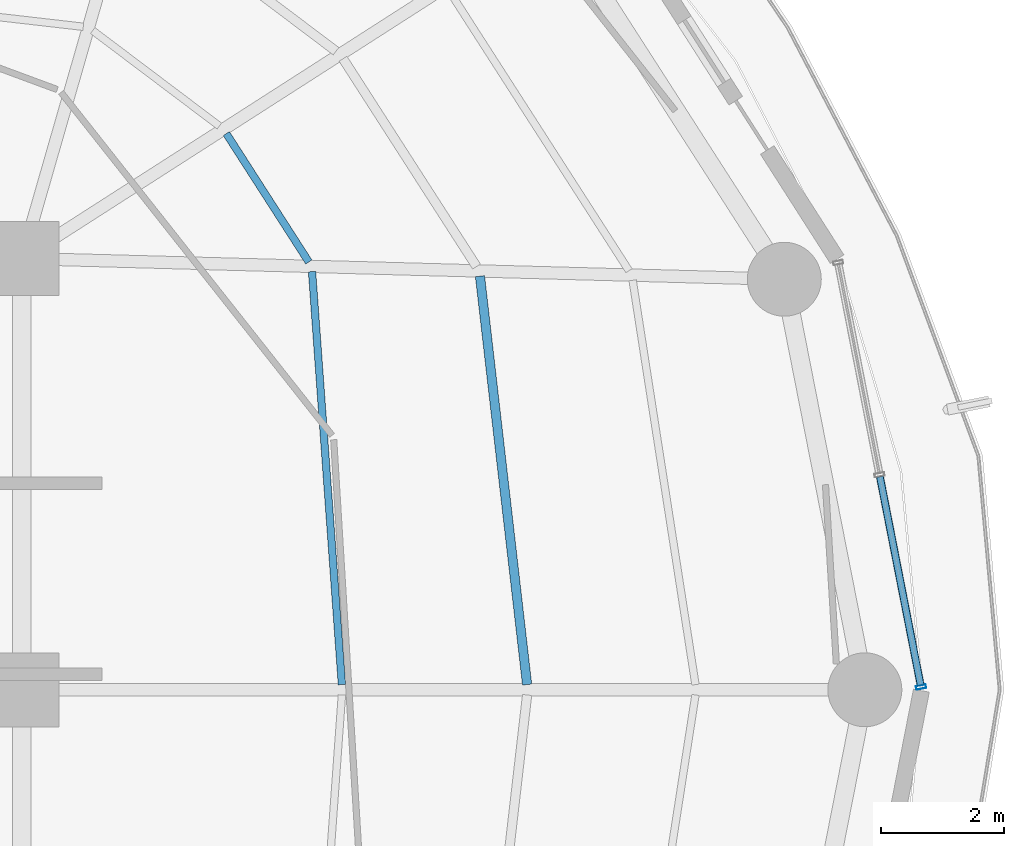
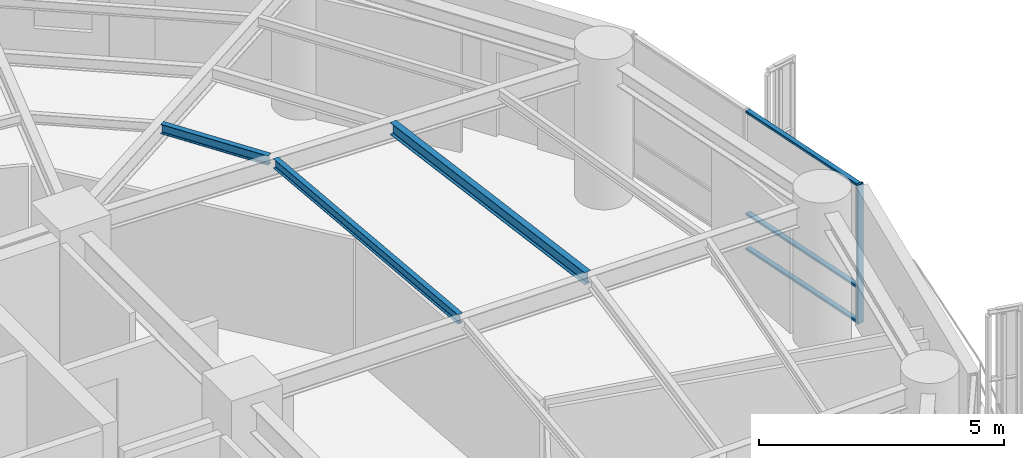
# One storey, part 13 of 27: 4 members, 3 beams, 1 element without a shape of its own.
"""IFC4 building model written with IfcOpenShell, lengths in metres."""

from ifc_helpers import new_model, si_unit, direction, frame, origin, origin_2d, place, context, subcontext, project, spatial, hollow_rectangle, i_section, extrude, material, layer, layer_set, material_profile, profile_set, type_object, element, aggregate, save


model = new_model("IFC4")

# Units and contexts
model_context = context("Model", 3, precision=1e-05, world=origin(), true_north=direction((0.0, 1.0)))
body_context = subcontext(model_context, "Body", "Model", "MODEL_VIEW")
ifc_project = project(units=[si_unit("LENGTHUNIT", "METRE"), si_unit("AREAUNIT", "SQUARE_METRE"), si_unit("VOLUMEUNIT", "CUBIC_METRE"), si_unit("PLANEANGLEUNIT", "RADIAN"), si_unit("MASSUNIT", "GRAM", prefix="KILO")], contexts=[model_context])

# Site, building, storey
site_placement = place(None, origin())
site = spatial("IfcSite", under=ifc_project, at=site_placement, CompositionType="ELEMENT")
building_placement = place(site_placement, origin())
building = spatial("IfcBuilding", under=site, at=building_placement, Name="Kelanora Arch Commons", CompositionType="ELEMENT")
storey_placement = place(building_placement, frame((0.0, 0.0, 146.85009765625)))
storey = spatial("IfcBuildingStorey", under=building, at=storey_placement, Name="L37", CompositionType="ELEMENT", Elevation=146.85009765625)

# Beams
ifc_material_1 = material(Name="Steel S355", Category="steel")
ifc_material_profile_1 = material_profile(ifc_material_1, i_section(OverallWidth=0.14990234375, OverallDepth=0.300048828125, WebThickness=0.007080078125, FlangeThickness=0.0107421875, FilletRadius=0.014892578125, at=origin_2d()), Name="IPE300")
ifc_profile_set_1 = profile_set([ifc_material_profile_1], Name="Steel S355")
beam_type_1 = type_object("IfcBeamType", Name="BM-JST-01", PredefinedType="JOIST", material=ifc_profile_set_1)
beam_1_placement = place(storey_placement, frame((90.1982421875, 58.08447265625, 3.33984375), z_axis=(-0.114667159005, 0.9934039675, 0.0), x_axis=(-0.9934039675, -0.114667159005, 0.0)))
element("IfcBeam", 1, at=beam_1_placement, inside=storey, type_object=beam_type_1, Name="Secondary Chord Joist BJB-00 L37", PredefinedType="JOIST", context=body_context, shape_type="SweptSolid", body=[
    extrude(i_section(OverallWidth=0.14990234375, OverallDepth=0.300048828125, WebThickness=0.007080078125, FlangeThickness=0.0107421875, FilletRadius=0.014892578125, at=origin_2d()), origin(), (0.0, 0.0, 1.0), 6.672607421875),
])
ifc_material_profile_2 = material_profile(ifc_material_1, i_section(OverallWidth=0.1201171875, OverallDepth=0.239990234375, WebThickness=0.006103515625, FlangeThickness=0.009765625, FilletRadius=0.014892578125, at=origin_2d()), Name="IPE240")
ifc_profile_set_2 = profile_set([ifc_material_profile_2], Name="Steel S355")
beam_type_2 = type_object("IfcBeamType", Name="BM-JST-02", PredefinedType="JOIST", material=ifc_profile_set_2)
beam_2_placement = place(storey_placement, frame((87.1923828125, 58.084716796875, 3.369873046875), z_axis=(-0.072117123738, 0.997396170267, 0.0), x_axis=(-0.997396170267, -0.072117123738, 0.0)))
element("IfcBeam", 2, at=beam_2_placement, inside=storey, type_object=beam_type_2, Name="Secondary Chord Joist BJA-00 L37", PredefinedType="JOIST", context=body_context, shape_type="SweptSolid", body=[
    extrude(i_section(OverallWidth=0.1201171875, OverallDepth=0.239990234375, WebThickness=0.006103515625, FlangeThickness=0.009765625, FilletRadius=0.014892578125, at=origin_2d()), origin(), (0.0, 0.0, 1.0), 6.719970703125),
])
beam_3_placement = place(storey_placement, frame((86.655517578125, 64.943359375, 3.369873046875), z_axis=(-0.540583174025, 0.841290575224, 0.0), x_axis=(-0.841290575224, -0.540583174025, 0.0)))
element("IfcBeam", 3, at=beam_3_placement, inside=storey, type_object=beam_type_2, Name="Secondary Chord Joist BJA-02 L37", PredefinedType="JOIST", context=body_context, shape_type="SweptSolid", body=[
    extrude(i_section(OverallWidth=0.1201171875, OverallDepth=0.239990234375, WebThickness=0.006103515625, FlangeThickness=0.009765625, FilletRadius=0.014892578125, at=origin_2d()), origin(), (0.0, 0.0, 1.0), 2.476318359375),
])

# Curtain wall, members
ifc_material_2 = material(Name="Terracotta ceramic-fritted low-E glass and aluminium", Category="masonry")
ifc_layer = layer(ifc_material_2, 0.175048828125)
ifc_layer_set = layer_set([ifc_layer], Name="Terracotta ceramic-fritted low-E glass and aluminium")
curtain_wall_type = type_object("IfcCurtainWallType", Name="CW-SYS-02", PredefinedType="NOTDEFINED", material=ifc_layer_set)
curtain_wall_placement = place(storey_placement, origin())
curtain_wall = element("IfcCurtainWall", 4, at=curtain_wall_placement, inside=storey, type_object=curtain_wall_type, Name="Unitised Curtain Wall L37-B00", PredefinedType="NOTDEFINED")
ifc_material_3 = material(Name="Powder-coated aluminium terracotta", Category="masonry")
ifc_material_profile_3 = material_profile(ifc_material_3, hollow_rectangle(XDim=0.159912109375, YDim=0.06005859375, WallThickness=0.0048828125, InnerFilletRadius=0.0048828125, OuterFilletRadius=0.010009765625, at=origin_2d()), Name="CWM160x60")
ifc_profile_set_3 = profile_set([ifc_material_profile_3], Name="Powder-coated aluminium terracotta")
member_type_1 = type_object("IfcMemberType", Name="CWM-STD", PredefinedType="MULLION", material=ifc_profile_set_3)
member_1_placement = place(storey_placement, frame((96.59130859375, 58.044189453125, 0.0), z_axis=(0.0, 0.0, 1.0), x_axis=(-0.981452557718, -0.191705182375, 0.0)))
member_1 = element("IfcMember", 5, at=member_1_placement, type_object=member_type_1, Name="CW-02 mullion 1", PredefinedType="MULLION", context=body_context, shape_type="SweptSolid", body=[
    extrude(hollow_rectangle(XDim=0.159912109375, YDim=0.06005859375, WallThickness=0.0048828125, InnerFilletRadius=0.0048828125, OuterFilletRadius=0.010009765625, at=origin_2d()), origin(), (0.0, 0.0, 1.0), 3.474853515625),
])
ifc_material_profile_4 = material_profile(ifc_material_3, hollow_rectangle(XDim=0.1201171875, YDim=0.06005859375, WallThickness=0.0048828125, InnerFilletRadius=0.0048828125, OuterFilletRadius=0.010009765625, at=origin_2d()), Name="CWT120x60")
ifc_profile_set_4 = profile_set([ifc_material_profile_4], Name="Powder-coated aluminium terracotta")
member_type_2 = type_object("IfcMemberType", Name="CWT-STD", PredefinedType="USERDEFINED", material=ifc_profile_set_4)
member_2_placement = place(storey_placement, frame((96.585693359375, 58.073486328125, 0.02978515625), z_axis=(-0.191718206447, 0.981450013662, 0.0), x_axis=(-0.981450013662, -0.191718206447, 0.0)))
member_2 = element("IfcMember", 6, at=member_2_placement, type_object=member_type_2, Name="CW-02 transom 1.1", ObjectType="TRANSOM", PredefinedType="USERDEFINED", context=body_context, shape_type="SweptSolid", body=[
    extrude(hollow_rectangle(XDim=0.1201171875, YDim=0.06005859375, WallThickness=0.0048828125, InnerFilletRadius=0.0048828125, OuterFilletRadius=0.010009765625, at=origin_2d()), origin(), (0.0, 0.0, 1.0), 3.44970703125),
])
member_3_placement = place(storey_placement, frame((96.585693359375, 58.073486328125, 0.89990234375), z_axis=(-0.191718206447, 0.981450013662, 0.0), x_axis=(-0.981450013662, -0.191718206447, 0.0)))
member_3 = element("IfcMember", 7, at=member_3_placement, type_object=member_type_2, Name="CW-02 transom 1.2", ObjectType="TRANSOM", PredefinedType="USERDEFINED", context=body_context, shape_type="SweptSolid", body=[
    extrude(hollow_rectangle(XDim=0.1201171875, YDim=0.06005859375, WallThickness=0.0048828125, InnerFilletRadius=0.0048828125, OuterFilletRadius=0.010009765625, at=origin_2d()), origin(), (0.0, 0.0, 1.0), 3.44970703125),
])
member_4_placement = place(storey_placement, frame((96.585693359375, 58.073486328125, 3.44482421875), z_axis=(-0.191718206447, 0.981450013662, 0.0), x_axis=(-0.981450013662, -0.191718206447, 0.0)))
member_4 = element("IfcMember", 8, at=member_4_placement, type_object=member_type_2, Name="CW-02 transom 1.3", ObjectType="TRANSOM", PredefinedType="USERDEFINED", context=body_context, shape_type="SweptSolid", body=[
    extrude(hollow_rectangle(XDim=0.1201171875, YDim=0.06005859375, WallThickness=0.0048828125, InnerFilletRadius=0.0048828125, OuterFilletRadius=0.010009765625, at=origin_2d()), origin(), (0.0, 0.0, 1.0), 3.44970703125),
])
aggregate(curtain_wall, [member_1, member_2, member_3, member_4])

save(model, "model.ifc")
